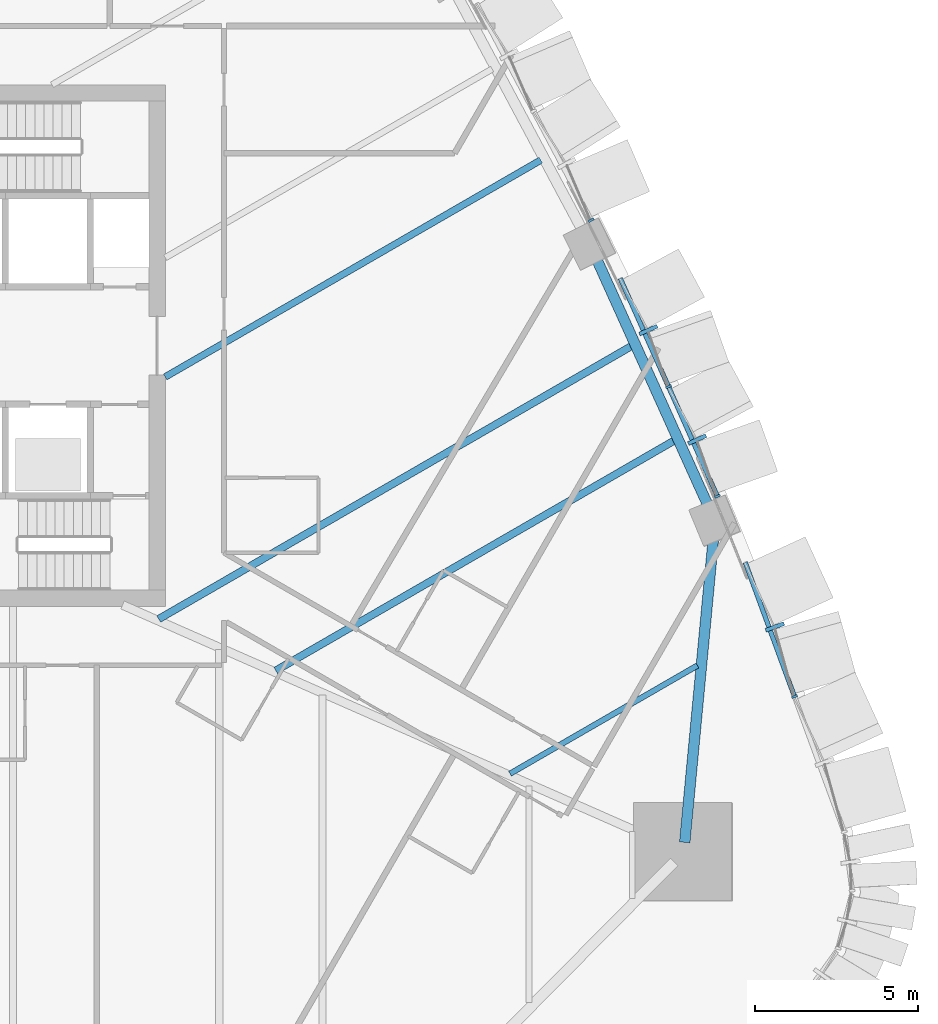
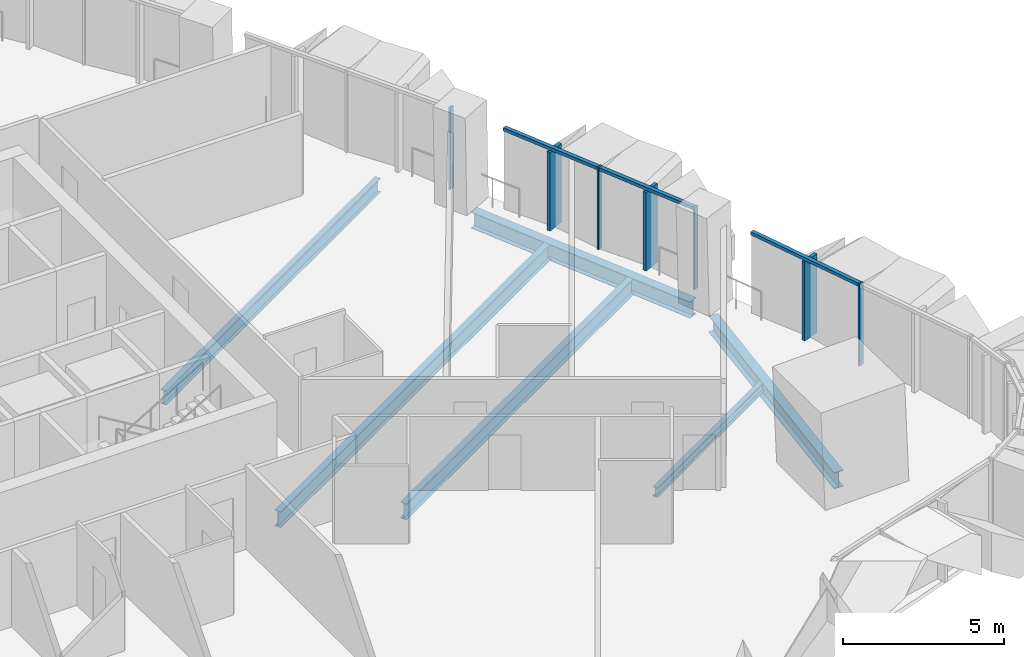
# One storey, part 5 of 24: 10 members, 6 beams, 3 elements without a shape of their own.
"""IFC4 building model written with IfcOpenShell, lengths in metres."""

from ifc_helpers import new_model, si_unit, direction, frame, origin, origin_2d, place, context, subcontext, project, spatial, rectangle, i_section, extrude, material, layer, layer_set, material_profile, profile_set, type_object, element, aggregate, save


model = new_model("IFC4")

# Units and contexts
model_context = context("Model", 3, precision=1e-05, world=origin(), true_north=direction((0.0, 1.0)))
body_context = subcontext(model_context, "Body", "Model", "MODEL_VIEW")
ifc_project = project(units=[si_unit("LENGTHUNIT", "METRE"), si_unit("AREAUNIT", "SQUARE_METRE"), si_unit("VOLUMEUNIT", "CUBIC_METRE"), si_unit("PLANEANGLEUNIT", "RADIAN"), si_unit("MASSUNIT", "GRAM", prefix="KILO")], contexts=[model_context])

# Site, building, storey
site_placement = place(None, origin())
site = spatial("IfcSite", under=ifc_project, at=site_placement, CompositionType="ELEMENT")
building_placement = place(site_placement, origin())
building = spatial("IfcBuilding", under=site, at=building_placement, Name="Sierra Prisma Convention Tower", CompositionType="ELEMENT")
storey_placement = place(building_placement, frame((0.0, 0.0, 59.10009765625)))
storey = spatial("IfcBuildingStorey", under=building, at=storey_placement, Name="L10", CompositionType="ELEMENT", Elevation=59.10009765625)

# Curtain wall, member
ifc_material_1 = material(Name="Aluminium and glass curtain wall", Category="aluminium")
ifc_layer = layer(ifc_material_1, 0.179931640625)
ifc_layer_set = layer_set([ifc_layer], Name="CW-2 Faceted crystal curtain wall")
curtain_wall_type = type_object("IfcCurtainWallType", Name="CW-2 Faceted crystal curtain wall", PredefinedType="NOTDEFINED", material=ifc_layer_set)
curtain_wall_1_placement = place(storey_placement, origin())
curtain_wall_1 = element("IfcCurtainWall", 1, at=curtain_wall_1_placement, inside=storey, type_object=curtain_wall_type, Name="CW-2 NE1 L10", PredefinedType="NOTDEFINED")
ifc_material_2 = material(Name="Aluminium 6063-T6 bronze anodised", Category="aluminium")
ifc_material_profile_1 = material_profile(ifc_material_2, rectangle(XDim=0.1201171875, YDim=0.60009765625, at=origin_2d()), Name="ALU RIDGE BLADE 120x600")
ifc_profile_set_1 = profile_set([ifc_material_profile_1], Name="Aluminium 6063-T6 bronze anodised")
member_type_1 = type_object("IfcMemberType", Name="CW hip bronze", PredefinedType="MULLION", material=ifc_profile_set_1)
member_1_placement = place(storey_placement, frame((29.6953125, -8.626220703125, 0.0), z_axis=(0.0, 0.0, 1.0), x_axis=(-0.344825567738, 0.938666782109, 0.0)))
member_1 = element("IfcMember", 2, at=member_1_placement, type_object=member_type_1, Name="CW-2 ridge NE1.2", PredefinedType="MULLION", context=body_context, shape_type="SweptSolid", body=[
    extrude(rectangle(XDim=0.1201171875, YDim=0.60009765625, at=origin_2d()), origin(), (0.0, 0.0, 1.0), 2.97998046875),
])

# Curtain wall, members
curtain_wall_2_placement = place(storey_placement, origin())
curtain_wall_2 = element("IfcCurtainWall", 3, at=curtain_wall_2_placement, inside=storey, type_object=curtain_wall_type, Name="CW-2 NE2 L10", PredefinedType="NOTDEFINED")
member_2_placement = place(storey_placement, frame((27.312255859375, -2.88037109375, 0.0), z_axis=(0.0, 0.0, 1.0), x_axis=(-0.407055429003, 0.913403458346, 0.0)))
member_2 = element("IfcMember", 4, at=member_2_placement, type_object=member_type_1, Name="CW-2 ridge NE2.1", PredefinedType="MULLION", context=body_context, shape_type="SweptSolid", body=[
    extrude(rectangle(XDim=0.1201171875, YDim=0.60009765625, at=origin_2d()), origin(), (0.0, 0.0, 1.0), 2.97998046875),
])
member_3_placement = place(storey_placement, frame((25.81591796875, 0.477294921875, 0.0), z_axis=(0.0, 0.0, 1.0), x_axis=(-0.407055429003, 0.913403458346, 0.0)))
member_3 = element("IfcMember", 5, at=member_3_placement, type_object=member_type_1, Name="CW-2 ridge NE2.2", PredefinedType="MULLION", context=body_context, shape_type="SweptSolid", body=[
    extrude(rectangle(XDim=0.1201171875, YDim=0.60009765625, at=origin_2d()), origin(), (0.0, 0.0, 1.0), 2.97998046875),
])

# Member
ifc_material_3 = material(Name="Aluminium 6063-T6 bronze anodised", Category="aluminium")
ifc_material_profile_2 = material_profile(ifc_material_3, rectangle(XDim=0.179931640625, YDim=0.070068359375, at=origin_2d()), Name="ALU MULLION 70x180")
ifc_profile_set_2 = profile_set([ifc_material_profile_2], Name="Aluminium 6063-T6 bronze anodised")
member_type_2 = type_object("IfcMemberType", Name="CW mullion bronze", PredefinedType="MULLION", material=ifc_profile_set_2)
member_4_placement = place(storey_placement, frame((30.297119140625, -10.760986328125, 0.0), z_axis=(0.0, 0.0, 1.0), x_axis=(-0.938666782109, -0.344825567738, 0.0)))
member_4 = element("IfcMember", 6, at=member_4_placement, type_object=member_type_2, Name="CW-1 mullion NE1.2", PredefinedType="MULLION", context=body_context, shape_type="SweptSolid", body=[
    extrude(rectangle(XDim=0.179931640625, YDim=0.070068359375, at=origin_2d()), origin(), (0.0, 0.0, 1.0), 3.099853515625),
])

member_5_placement = place(storey_placement, frame((27.930908203125, -4.616943359375, 0.0), z_axis=(0.0, 0.0, 1.0), x_axis=(-0.913403458346, -0.407055429003, 0.0)))
member_5 = element("IfcMember", 7, at=member_5_placement, type_object=member_type_2, Name="CW-1 mullion NE2.1", PredefinedType="MULLION", context=body_context, shape_type="SweptSolid", body=[
    extrude(rectangle(XDim=0.179931640625, YDim=0.070068359375, at=origin_2d()), origin(), (0.0, 0.0, 1.0), 3.099853515625),
])

member_6_placement = place(storey_placement, frame((26.4345703125, -1.25927734375, 0.0), z_axis=(0.0, 0.0, 1.0), x_axis=(-0.913403458346, -0.407055429003, 0.0)))
member_6 = element("IfcMember", 8, at=member_6_placement, type_object=member_type_2, Name="CW-1 mullion NE2.2", PredefinedType="MULLION", context=body_context, shape_type="SweptSolid", body=[
    extrude(rectangle(XDim=0.179931640625, YDim=0.070068359375, at=origin_2d()), origin(), (0.0, 0.0, 1.0), 3.099853515625),
])

# Curtain wall, member
curtain_wall_3_placement = place(storey_placement, origin())
curtain_wall_3 = element("IfcCurtainWall", 9, at=curtain_wall_3_placement, inside=storey, type_object=curtain_wall_type, Name="CW-2 NE3 L10", PredefinedType="NOTDEFINED")
member_7_placement = place(storey_placement, frame((24.0615234375, 3.847412109375, 0.0), z_axis=(0.0, 0.0, 1.0), x_axis=(-0.884019962329, -0.467449148254, 0.0)))
member_7 = element("IfcMember", 10, at=member_7_placement, type_object=member_type_2, Name="CW-1 mullion NE3.1", PredefinedType="MULLION", context=body_context, shape_type="SweptSolid", body=[
    extrude(rectangle(XDim=0.179931640625, YDim=0.070068359375, at=origin_2d()), origin(), (0.0, 0.0, 1.0), 3.099853515625),
])
aggregate(curtain_wall_3, [member_7])

# Member
ifc_material_4 = material(Name="Aluminium 6063-T6 bronze anodised", Category="aluminium")
ifc_material_profile_3 = material_profile(ifc_material_4, rectangle(XDim=0.139892578125, YDim=0.1201171875, at=origin_2d()), Name="ALU TRANSOM 120x140")
ifc_profile_set_3 = profile_set([ifc_material_profile_3], Name="Aluminium 6063-T6 bronze anodised")
member_type_3 = type_object("IfcMemberType", Name="CW transom bronze", PredefinedType="USERDEFINED", material=ifc_profile_set_3)
member_8_placement = place(storey_placement, frame((30.28515625, -10.728271484375, 3.039794921875), z_axis=(-0.344821496808, 0.938668277582, 0.0), x_axis=(-0.938668277582, -0.344821496808, 0.0)))
member_8 = element("IfcMember", 11, at=member_8_placement, type_object=member_type_3, Name="CW-1 transom NE1.2", ObjectType="TRANSOM", PredefinedType="USERDEFINED", context=body_context, shape_type="SweptSolid", body=[
    extrude(rectangle(XDim=0.139892578125, YDim=0.1201171875, at=origin_2d()), origin(), (0.0, 0.0, 1.0), 4.35302734375),
])

aggregate(curtain_wall_1, [member_4, member_8, member_1])

member_9_placement = place(storey_placement, frame((27.91650390625, -4.5849609375, 3.039794921875), z_axis=(-0.407042862593, 0.913409058424, 0.0), x_axis=(-0.913409058424, -0.407042862593, 0.0)))
member_9 = element("IfcMember", 12, at=member_9_placement, type_object=member_type_3, Name="CW-1 transom NE2.1", ObjectType="TRANSOM", PredefinedType="USERDEFINED", context=body_context, shape_type="SweptSolid", body=[
    extrude(rectangle(XDim=0.139892578125, YDim=0.1201171875, at=origin_2d()), origin(), (0.0, 0.0, 1.0), 3.60595703125),
])

member_10_placement = place(storey_placement, frame((26.420166015625, -1.227294921875, 3.039794921875), z_axis=(-0.407042862593, 0.913409058424, 0.0), x_axis=(-0.913409058424, -0.407042862593, 0.0)))
member_10 = element("IfcMember", 13, at=member_10_placement, type_object=member_type_3, Name="CW-1 transom NE2.2", ObjectType="TRANSOM", PredefinedType="USERDEFINED", context=body_context, shape_type="SweptSolid", body=[
    extrude(rectangle(XDim=0.139892578125, YDim=0.1201171875, at=origin_2d()), origin(), (0.0, 0.0, 1.0), 3.60595703125),
])

aggregate(curtain_wall_2, [member_5, member_6, member_9, member_2, member_10, member_3])

# Beams
ifc_material_5 = material(Name="Steel ASTM A992 Gr 50", Category="steel")
ifc_material_profile_4 = material_profile(ifc_material_5, i_section(OverallWidth=0.172119140625, OverallDepth=0.35791015625, WebThickness=0.0078125, FlangeThickness=0.01318359375, at=origin_2d()), Name="W360x57")
ifc_profile_set_4 = profile_set([ifc_material_profile_4], Name="Steel ASTM A992 Gr 50")
beam_type_1 = type_object("IfcBeamType", Name="Floor joist W360x57", PredefinedType="JOIST", material=ifc_profile_set_4)
beam_1_placement = place(storey_placement, frame((27.320068359375, -9.808837890625, -0.3291015625), z_axis=(-0.866031818425, -0.499988889351, 0.0), x_axis=(0.499988889351, -0.866031818425, 0.0)))
element("IfcBeam", 14, at=beam_1_placement, inside=storey, type_object=beam_type_1, Name="Floor joist L10 NE02", PredefinedType="JOIST", context=body_context, shape_type="SweptSolid", body=[
    extrude(i_section(OverallWidth=0.172119140625, OverallDepth=0.35791015625, WebThickness=0.0078125, FlangeThickness=0.01318359375, at=origin_2d()), origin(), (0.0, 0.0, 1.0), 6.636474609375),
])
ifc_material_6 = material(Name="Steel ASTM A992 Gr 50", Category="steel")
ifc_material_profile_5 = material_profile(ifc_material_6, i_section(OverallWidth=0.208984375, OverallDepth=0.532958984375, WebThickness=0.01025390625, FlangeThickness=0.015625, at=origin_2d()), Name="W530x92")
ifc_profile_set_5 = profile_set([ifc_material_profile_5], Name="Steel ASTM A992 Gr 50")
beam_type_2 = type_object("IfcBeamType", Name="Floor joist W530x92", PredefinedType="JOIST", material=ifc_profile_set_5)
beam_2_placement = place(storey_placement, frame((22.516845703125, 5.69091796875, -0.41650390625), z_axis=(-0.866028140371, -0.499995260064, 0.0), x_axis=(0.499995260064, -0.866028140371, 0.0)))
element("IfcBeam", 15, at=beam_2_placement, inside=storey, type_object=beam_type_2, Name="Floor joist L10 NE07", PredefinedType="JOIST", context=body_context, shape_type="SweptSolid", body=[
    extrude(i_section(OverallWidth=0.208984375, OverallDepth=0.532958984375, WebThickness=0.01025390625, FlangeThickness=0.015625, at=origin_2d()), origin(), (0.0, 0.0, 1.0), 13.298583984375),
])
ifc_material_7 = material(Name="Steel ASTM A992 Gr 50", Category="steel")
ifc_material_profile_6 = material_profile(ifc_material_7, i_section(OverallWidth=0.22802734375, OverallDepth=0.60302734375, WebThickness=0.010498046875, FlangeThickness=0.014892578125, at=origin_2d()), Name="W610x101")
ifc_profile_set_6 = profile_set([ifc_material_profile_6], Name="Steel ASTM A992 Gr 50")
beam_type_3 = type_object("IfcBeamType", Name="Floor joist W610x101", PredefinedType="JOIST", material=ifc_profile_set_6)
beam_3_placement = place(storey_placement, frame((26.61865234375, -2.904541015625, -0.45166015625), z_axis=(-0.866025485263, -0.499999858875, 0.0), x_axis=(0.499999858875, -0.866025485263, 0.0)))
element("IfcBeam", 16, at=beam_3_placement, inside=storey, type_object=beam_type_3, Name="Floor joist L10 NE04", PredefinedType="JOIST", context=body_context, shape_type="SweptSolid", body=[
    extrude(i_section(OverallWidth=0.22802734375, OverallDepth=0.60302734375, WebThickness=0.010498046875, FlangeThickness=0.014892578125, at=origin_2d()), origin(), (0.0, 0.0, 1.0), 14.119140625),
])
beam_4_placement = place(storey_placement, frame((25.308349609375, -0.006591796875, -0.45166015625), z_axis=(-0.866031965055, -0.499988635374, 0.0), x_axis=(0.499988635374, -0.866031965055, 0.0)))
element("IfcBeam", 17, at=beam_4_placement, inside=storey, type_object=beam_type_3, Name="Floor joist L10 NE05", PredefinedType="JOIST", context=body_context, shape_type="SweptSolid", body=[
    extrude(i_section(OverallWidth=0.22802734375, OverallDepth=0.60302734375, WebThickness=0.010498046875, FlangeThickness=0.014892578125, at=origin_2d()), origin(), (0.0, 0.0, 1.0), 16.75244140625),
])
ifc_material_8 = material(Name="Steel ASTM A992 Gr 50", Category="steel")
ifc_material_profile_7 = material_profile(ifc_material_8, i_section(OverallWidth=0.324951171875, OverallDepth=0.615966796875, WebThickness=0.013916015625, FlangeThickness=0.021484375, at=origin_2d()), Name="W610x174")
ifc_profile_set_7 = profile_set([ifc_material_profile_7], Name="Steel ASTM A992 Gr 50")
beam_type_4 = type_object("IfcBeamType", Name="Spandrel beam W610x174", PredefinedType="BEAM", material=ifc_profile_set_7)
beam_5_placement = place(storey_placement, frame((26.930419921875, -15.23193359375, -0.4580078125), z_axis=(0.09397392477, 0.99557465891, 0.0), x_axis=(-0.99557465891, 0.09397392477, 0.0)))
element("IfcBeam", 18, at=beam_5_placement, inside=storey, type_object=beam_type_4, Name="Spandrel L10-07", PredefinedType="BEAM", context=body_context, shape_type="SweptSolid", body=[
    extrude(i_section(OverallWidth=0.324951171875, OverallDepth=0.615966796875, WebThickness=0.013916015625, FlangeThickness=0.021484375, at=origin_2d()), origin(), (0.0, 0.0, 1.0), 9.339599609375),
])
beam_6_placement = place(storey_placement, frame((27.66259765625, -4.93994140625, -0.4580078125), z_axis=(-0.411997555097, 0.911184950816, 0.0), x_axis=(-0.911184950816, -0.411997555097, 0.0)))
element("IfcBeam", 19, at=beam_6_placement, inside=storey, type_object=beam_type_4, Name="Spandrel L10-08", PredefinedType="BEAM", context=body_context, shape_type="SweptSolid", body=[
    extrude(i_section(OverallWidth=0.324951171875, OverallDepth=0.615966796875, WebThickness=0.013916015625, FlangeThickness=0.021484375, at=origin_2d()), origin(), (0.0, 0.0, 1.0), 8.3583984375),
])

save(model, "model.ifc")
